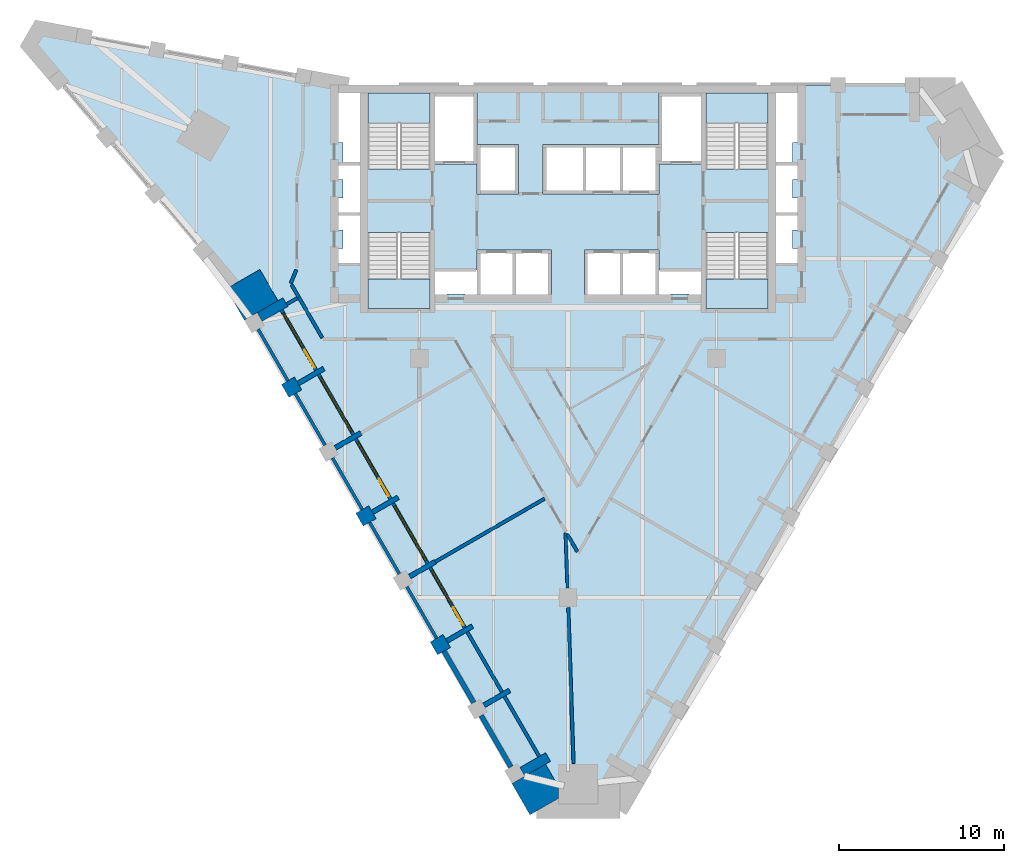
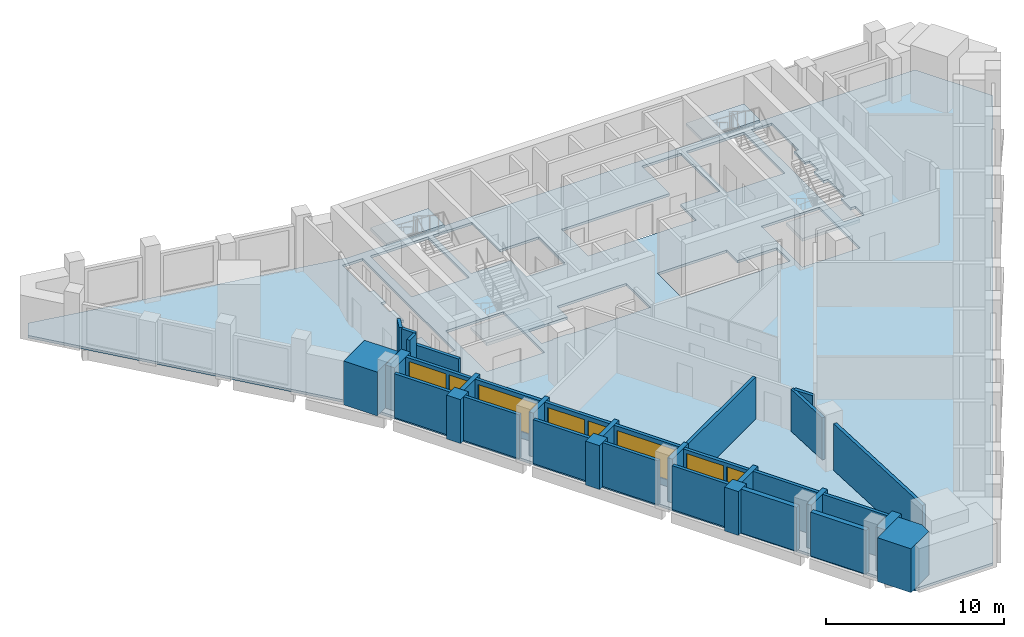
# One storey, part 2 of 9: 35 walls, 5 slabs, 5 windows, 3 doors, 8 openings, 4 elements without a shape of their own.
"""IFC4 building model written with IfcOpenShell, lengths in metres."""

from ifc_helpers import new_model, si_unit, direction, frame, frame_2d, origin, place, context, subcontext, project, spatial, polyline, rectangle, outline, extrude, material, layer, layer_set, type_object, element, fill, aggregate, save


model = new_model("IFC4")

# Units and contexts
model_context = context("Model", 3, precision=1e-05, world=origin(), true_north=direction((0.0, 1.0)))
body_context = subcontext(model_context, "Body", "Model", "MODEL_VIEW")
ifc_project = project(units=[si_unit("LENGTHUNIT", "METRE"), si_unit("AREAUNIT", "SQUARE_METRE"), si_unit("VOLUMEUNIT", "CUBIC_METRE"), si_unit("PLANEANGLEUNIT", "RADIAN"), si_unit("MASSUNIT", "GRAM", prefix="KILO")], contexts=[model_context])

# Site, building, storey
site_placement = place(None, origin())
site = spatial("IfcSite", under=ifc_project, at=site_placement, CompositionType="ELEMENT")
building_placement = place(site_placement, origin())
building = spatial("IfcBuilding", under=site, at=building_placement, Name="Calabash Gate Tower", CompositionType="ELEMENT")
storey_placement = place(building_placement, frame((0.0, 0.0, 223.699951171875)))
storey = spatial("IfcBuildingStorey", under=building, at=storey_placement, Name="L53", CompositionType="ELEMENT", Elevation=223.699951171875)

# Slab
ifc_material_1 = material(Name="Concrete C40/50", Category="concrete")
ifc_layer_1 = layer(ifc_material_1, 0.169921875)
ifc_layer_set_1 = layer_set([ifc_layer_1], Name="Composite floor slab 170 Concrete C40/50")
slab_type_1 = type_object("IfcSlabType", Name="Composite floor slab 170 Concrete C40/50", PredefinedType="FLOOR", material=ifc_layer_set_1)
slab_1_placement = place(storey_placement, frame((0.0, 0.0, -0.169921875)))
element("IfcSlab", 1, at=slab_1_placement, inside=storey, type_object=slab_type_1, Name="Floor slab L53", PredefinedType="FLOOR", context=body_context, shape_type="SweptSolid", body=[
    extrude(outline(polyline([(3.157958984375, -24.915283203125), (-1.906005859375, -24.915283203125), (-20.291015625, 6.92822265625), (-32.620361328125, 21.43115234375), (-32.015625, 22.478515625), (-13.291015625, 19.052490234375), (23.478759765625, 19.052490234375), (26.0107421875, 14.6669921875), (3.157958984375, -24.915283203125)]), holes=[polyline([(-7.324951171875, 6.3525390625), (-7.324951171875, 6.402587890625), (-6.22509765625, 6.402587890625), (-6.22509765625, 6.3525390625), (-5.5, 6.3525390625), (-3.25, 6.3525390625), (-1.0, 6.3525390625), (-1.0, 9.052490234375), (-3.25, 9.052490234375), (-5.5, 9.052490234375), (-5.5, 7.8525390625), (-8.050048828125, 7.8525390625), (-8.050048828125, 6.3525390625), (-7.324951171875, 6.3525390625)]), polyline([(8.050048828125, 6.3525390625), (8.050048828125, 7.8525390625), (5.5, 7.8525390625), (5.5, 9.052490234375), (3.25, 9.052490234375), (1.0, 9.052490234375), (1.0, 6.3525390625), (3.25, 6.3525390625), (5.5, 6.3525390625), (6.22509765625, 6.3525390625), (6.22509765625, 6.402587890625), (7.324951171875, 6.402587890625), (7.324951171875, 6.3525390625), (8.050048828125, 6.3525390625)]), polyline([(-8.050048828125, 18.552490234375), (-8.050048828125, 14.252685546875), (-5.5, 14.252685546875), (-5.5, 12.45263671875), (-3.0, 12.45263671875), (-3.0, 15.45263671875), (-5.5, 15.45263671875), (-5.5, 18.552490234375), (-8.050048828125, 18.552490234375)]), polyline([(5.5, 14.252685546875), (8.050048828125, 14.252685546875), (8.050048828125, 18.552490234375), (5.5, 18.552490234375), (5.5, 15.45263671875), (3.25, 15.45263671875), (1.0, 15.45263671875), (-1.5, 15.45263671875), (-1.5, 12.45263671875), (1.0, 12.45263671875), (3.25, 12.45263671875), (5.5, 12.45263671875), (5.5, 14.252685546875)]), polyline([(-12.10009765625, 13.95263671875), (-8.35009765625, 13.95263671875), (-8.35009765625, 18.552490234375), (-12.10009765625, 18.552490234375), (-12.10009765625, 13.95263671875)]), polyline([(-8.35009765625, 5.502685546875), (-8.35009765625, 10.1025390625), (-12.10009765625, 10.1025390625), (-12.10009765625, 5.502685546875), (-8.35009765625, 5.502685546875)]), polyline([(12.10009765625, 18.552490234375), (8.35009765625, 18.552490234375), (8.35009765625, 13.95263671875), (12.10009765625, 13.95263671875), (12.10009765625, 18.552490234375)]), polyline([(8.35009765625, 10.1025390625), (8.35009765625, 5.502685546875), (12.10009765625, 5.502685546875), (12.10009765625, 10.1025390625), (8.35009765625, 10.1025390625)]), polyline([(-13.89990234375, 8.1826171875), (-12.60009765625, 8.1826171875), (-12.60009765625, 11.232666015625), (-12.60009765625, 14.28271484375), (-12.60009765625, 18.552490234375), (-13.89990234375, 18.552490234375), (-13.89990234375, 15.550048828125), (-13.60009765625, 15.550048828125), (-13.60009765625, 14.28271484375), (-13.89990234375, 14.28271484375), (-13.89990234375, 13.3076171875), (-13.60009765625, 13.3076171875), (-13.60009765625, 12.20751953125), (-13.89990234375, 12.20751953125), (-13.89990234375, 11.232666015625), (-13.89990234375, 10.257568359375), (-13.60009765625, 10.257568359375), (-13.60009765625, 9.15771484375), (-13.89990234375, 9.15771484375), (-13.89990234375, 8.1826171875)]), polyline([(13.60009765625, 9.15771484375), (13.60009765625, 10.257568359375), (13.89990234375, 10.257568359375), (13.89990234375, 11.232666015625), (13.89990234375, 12.20751953125), (13.60009765625, 12.20751953125), (13.60009765625, 13.3076171875), (13.89990234375, 13.3076171875), (13.89990234375, 14.28271484375), (13.60009765625, 14.28271484375), (13.60009765625, 15.550048828125), (13.89990234375, 15.550048828125), (13.89990234375, 18.552490234375), (12.60009765625, 18.552490234375), (12.60009765625, 14.28271484375), (12.60009765625, 11.232666015625), (12.60009765625, 8.1826171875), (13.89990234375, 8.1826171875), (13.89990234375, 9.15771484375), (13.60009765625, 9.15771484375)])]), origin(), (0.0, 0.0, 1.0), 0.169921875),
])

# Stair, slab
ifc_material_2 = material(Name="Concrete C40/50", Category="concrete")
stair_type = type_object("IfcStairType", Name="Exit stair 22 risers of 177.3 mm", PredefinedType="HALF_TURN_STAIR", material=ifc_material_2)
stair_1_placement = place(storey_placement, origin())
stair_1 = element("IfcStair", 2, at=stair_1_placement, inside=storey, type_object=stair_type, Name="L53 Exit stair ST1", PredefinedType="HALF_TURN_STAIR")
ifc_material_3 = material(Name="Concrete C40/50", Category="concrete")
ifc_layer_2 = layer(ifc_material_3, 0.199951171875)
ifc_layer_set_2 = layer_set([ifc_layer_2], Name="Stair landing SL200")
slab_type_2 = type_object("IfcSlabType", Name="Stair landing SL200", PredefinedType="LANDING", material=ifc_layer_set_2)
slab_2_placement = place(storey_placement, frame((0.0, 0.0, 1.75)))
slab_2 = element("IfcSlab", 3, at=slab_2_placement, type_object=slab_type_2, Name="ST1 landing 1", PredefinedType="LANDING", context=body_context, shape_type="SweptSolid", body=[
    extrude(outline(polyline([(-8.35009765625, 16.74267578125), (-8.35009765625, 18.552490234375), (-12.10009765625, 18.552490234375), (-12.10009765625, 16.74267578125), (-8.35009765625, 16.74267578125)])), origin(), (0.0, 0.0, 1.0), 0.199951171875),
])
aggregate(stair_1, [slab_2])

stair_2_placement = place(storey_placement, origin())
stair_2 = element("IfcStair", 4, at=stair_2_placement, inside=storey, type_object=stair_type, Name="L53 Exit stair ST2", PredefinedType="HALF_TURN_STAIR")
slab_3_placement = place(storey_placement, frame((0.0, 0.0, 1.75)))
slab_3 = element("IfcSlab", 5, at=slab_3_placement, type_object=slab_type_2, Name="ST2 landing 1", PredefinedType="LANDING", context=body_context, shape_type="SweptSolid", body=[
    extrude(outline(polyline([(-12.10009765625, 7.3125), (-12.10009765625, 5.502685546875), (-8.35009765625, 5.502685546875), (-8.35009765625, 7.3125), (-12.10009765625, 7.3125)])), origin(), (0.0, 0.0, 1.0), 0.199951171875),
])
aggregate(stair_2, [slab_3])

stair_3_placement = place(storey_placement, origin())
stair_3 = element("IfcStair", 6, at=stair_3_placement, inside=storey, type_object=stair_type, Name="L53 Exit stair ST3", PredefinedType="HALF_TURN_STAIR")
slab_4_placement = place(storey_placement, frame((0.0, 0.0, 1.75)))
slab_4 = element("IfcSlab", 7, at=slab_4_placement, type_object=slab_type_2, Name="ST3 landing 1", PredefinedType="LANDING", context=body_context, shape_type="SweptSolid", body=[
    extrude(outline(polyline([(12.10009765625, 16.74267578125), (12.10009765625, 18.552490234375), (8.35009765625, 18.552490234375), (8.35009765625, 16.74267578125), (12.10009765625, 16.74267578125)])), origin(), (0.0, 0.0, 1.0), 0.199951171875),
])
aggregate(stair_3, [slab_4])

stair_4_placement = place(storey_placement, origin())
stair_4 = element("IfcStair", 8, at=stair_4_placement, inside=storey, type_object=stair_type, Name="L53 Exit stair ST4", PredefinedType="HALF_TURN_STAIR")
slab_5_placement = place(storey_placement, frame((0.0, 0.0, 1.75)))
slab_5 = element("IfcSlab", 9, at=slab_5_placement, type_object=slab_type_2, Name="ST4 landing 1", PredefinedType="LANDING", context=body_context, shape_type="SweptSolid", body=[
    extrude(outline(polyline([(8.35009765625, 7.3125), (8.35009765625, 5.502685546875), (12.10009765625, 5.502685546875), (12.10009765625, 7.3125), (8.35009765625, 7.3125)])), origin(), (0.0, 0.0, 1.0), 0.199951171875),
])
aggregate(stair_4, [slab_5])

# Walls
ifc_material_4 = material(Name="Terracotta brick masonry, exposed face", Category="masonry")
ifc_layer_3 = layer(ifc_material_4, 2.35009765625)
ifc_layer_set_3 = layer_set([ifc_layer_3], Name="Brick corner mass wall 2350")
wall_type_1 = type_object("IfcWallType", Name="Brick corner mass wall 2350", PredefinedType="SOLIDWALL", material=ifc_layer_set_3)
wall_1_placement = place(storey_placement, origin())
element("IfcWall", 10, at=wall_1_placement, inside=storey, type_object=wall_type_1, Name="Brick corner pier S15 1", PredefinedType="SOLIDWALL", context=body_context, shape_type="SweptSolid", body=[
    extrude(outline(polyline([(-19.588134765625, 4.81103515625), (-17.552978515625, 5.986083984375), (-18.6455078125, 7.878173828125), (-20.6806640625, 6.703125), (-19.588134765625, 4.81103515625)])), origin(), (0.0, 0.0, 1.0), 3.0),
])
wall_2_placement = place(storey_placement, origin())
element("IfcWall", 11, at=wall_2_placement, inside=storey, type_object=wall_type_1, Name="Brick corner pier S15 2a", PredefinedType="SOLIDWALL", context=body_context, shape_type="SweptSolid", body=[
    extrude(outline(polyline([(-0.573974609375, -23.422607421875), (-1.35302734375, -22.0732421875), (-3.38818359375, -23.248046875), (-2.2958984375, -25.14013671875), (-0.573974609375, -24.146240234375), (-0.573974609375, -23.422607421875)])), origin(), (0.0, 0.0, 1.0), 3.0),
])
ifc_material_5 = material(Name="Terracotta brick masonry, exposed face", Category="masonry")
ifc_layer_4 = layer(ifc_material_5, 0.89990234375)
ifc_layer_set_4 = layer_set([ifc_layer_4], Name="Brick end wall 900")
wall_type_2 = type_object("IfcWallType", Name="Brick end wall 900", PredefinedType="SOLIDWALL", material=ifc_layer_set_4)
for number, where, z_axis, x_axis, name in (
    (12, (-16.333740234375, 0.974365234375, 0.0), (0.0, 0.0, 1.0), (-0.865964261186, -0.500105887137, 0.0), "Brick pier S15 SW0.1"),
    (13, (-11.833740234375, -6.820068359375, 0.0), (0.0, 0.0, 1.0), (-0.866081705922, -0.499902469156, 0.0), "Brick pier S15 SW0.3"),
    (14, (-8.11328125, -15.064208984375, 0.0), (0.0, 0.0, 1.0), (0.866081705922, 0.499902469156, 0.0), "Brick pier S15 SW0.5"),
):
    element("IfcWall", number, at=place(storey_placement, frame(where, z_axis=z_axis, x_axis=x_axis)), inside=storey, type_object=wall_type_2, Name=name, PredefinedType="SOLIDWALL", context=body_context, shape_type="SweptSolid", body=[
        extrude(rectangle(XDim=0.900146484375, YDim=0.89990234375, at=frame_2d((0.4501953125, 0.0))), origin(), (0.0, 0.0, 1.0), 3.0),
    ])
ifc_material_6 = material(Name="Terracotta brick masonry, exposed face", Category="masonry")
ifc_layer_5 = layer(ifc_material_6, 0.300048828125)
ifc_layer_set_5 = layer_set([ifc_layer_5], Name="Brick infill panel wall 300")
wall_type_3 = type_object("IfcWallType", Name="Brick infill panel wall 300", PredefinedType="SOLIDWALL", material=ifc_layer_set_5)
for number, where, z_axis, x_axis, name in (
    (15, (-5.69873046875, -18.34619140625, 0.0), (0.0, 0.0, 1.0), (-0.50001992892, 0.866013897511, 0.0), "Brick panel S15 SW0.6"),
    (16, (-3.44873046875, -22.2431640625, 0.0), (0.0, 0.0, 1.0), (-0.50001992892, 0.866013897511, 0.0), "Brick panel S15 SW0.7"),
):
    element("IfcWall", number, at=place(storey_placement, frame(where, z_axis=z_axis, x_axis=x_axis)), inside=storey, type_object=wall_type_3, Name=name, PredefinedType="SOLIDWALL", context=body_context, shape_type="SweptSolid", body=[
        extrude(rectangle(XDim=3.599365234375, YDim=0.300048828125, at=frame_2d((1.7998046875, 0.0))), origin(), (0.0, 0.0, 1.0), 3.0),
    ])
ifc_material_7 = material(Name="Terracotta brick masonry, exposed face", Category="masonry")
ifc_layer_6 = layer(ifc_material_7, 0.300048828125)
ifc_layer_set_6 = layer_set([ifc_layer_6], Name="Brick loggia cheek wall 300")
wall_type_4 = type_object("IfcWallType", Name="Brick loggia cheek wall 300", PredefinedType="SOLIDWALL", material=ifc_layer_set_6)
wall_3_placement = place(storey_placement, frame((-18.65869140625, 5.001220703125, 0.0), z_axis=(0.0, 0.0, 1.0), x_axis=(0.865989075817, 0.500062916607, 0.0)))
element("IfcWall", 17, at=wall_3_placement, inside=storey, type_object=wall_type_4, Name="Loggia cheek S15 SW0.0", PredefinedType="SOLIDWALL", context=body_context, shape_type="SweptSolid", body=[
    extrude(rectangle(XDim=1.800048828125, YDim=0.60009765625, at=frame_2d((0.89990234375, 0.0))), origin(), (0.0, 0.0, 1.0), 2.9501953125),
])
for number, where, z_axis, x_axis, name in (
    (18, (-16.333740234375, 0.974365234375, 0.0), (0.0, 0.0, 1.0), (0.866047807691, 0.499961193289, 0.0), "Loggia cheek S15 SW0.1"),
    (19, (-14.083740234375, -2.9228515625, 0.0), (0.0, 0.0, 1.0), (0.866047807691, 0.499961193289, 0.0), "Loggia cheek S15 SW0.2"),
    (20, (-11.833740234375, -6.820068359375, 0.0), (0.0, 0.0, 1.0), (0.865989075817, 0.500062916607, 0.0), "Loggia cheek S15 SW0.3"),
    (21, (-9.583740234375, -10.717041015625, 0.0), (0.0, 0.0, 1.0), (0.866047807691, 0.499961193289, 0.0), "Loggia cheek S15 SW0.4"),
    (22, (-7.333740234375, -14.6142578125, 0.0), (0.0, 0.0, 1.0), (0.865989075817, 0.500062916607, 0.0), "Loggia cheek S15 SW0.5"),
    (23, (-5.083740234375, -18.51123046875, 0.0), (0.0, 0.0, 1.0), (0.866047807691, 0.499961193289, 0.0), "Loggia cheek S15 SW0.6"),
):
    element("IfcWall", number, at=place(storey_placement, frame(where, z_axis=z_axis, x_axis=x_axis)), inside=storey, type_object=wall_type_4, Name=name, PredefinedType="SOLIDWALL", context=body_context, shape_type="SweptSolid", body=[
        extrude(rectangle(XDim=1.800048828125, YDim=0.300048828125, at=frame_2d((0.89990234375, 0.0))), origin(), (0.0, 0.0, 1.0), 3.0),
    ])
wall_4_placement = place(storey_placement, frame((-2.7587890625, -22.538330078125, 0.0), z_axis=(0.0, 0.0, 1.0), x_axis=(0.866047807691, 0.499961193289, 0.0)))
element("IfcWall", 24, at=wall_4_placement, inside=storey, type_object=wall_type_4, Name="Loggia cheek S15 SW0.7", PredefinedType="SOLIDWALL", context=body_context, shape_type="SweptSolid", body=[
    extrude(rectangle(XDim=1.800048828125, YDim=0.60009765625, at=frame_2d((0.89990234375, 0.0))), origin(), (0.0, 0.0, 1.0), 3.0),
])
ifc_material_8 = material(Name="Gypsum board on steel studs, mineral wool", Category="steel")
ifc_layer_7 = layer(ifc_material_8, 0.199951171875)
ifc_layer_set_7 = layer_set([ifc_layer_7], Name="Partition 200 gypsum board EI 60")
wall_type_5 = type_object("IfcWallType", Name="Partition 200 gypsum board EI 60", PredefinedType="PARTITIONING", material=ifc_layer_set_7)
wall_5_placement = place(storey_placement, frame((0.020263671875, -12.60009765625, 0.0), z_axis=(0.0, 0.0, 1.0), x_axis=(0.033928355038, -0.999424267628, 0.0)))
element("IfcWall", 25, at=wall_5_placement, inside=storey, type_object=wall_type_5, Name="Partition", PredefinedType="PARTITIONING", context=body_context, shape_type="SweptSolid", body=[
    extrude(rectangle(XDim=9.43359375, YDim=0.199951171875, at=frame_2d((4.716796875, 0.0))), origin(), (0.0, 0.0, 1.0), 3.201904296875),
])
wall_6_placement = place(storey_placement, frame((-0.134033203125, -8.07958984375, 0.0), z_axis=(0.0, 0.0, 1.0), x_axis=(0.034171208609, -0.999415993719, 0.0)))
element("IfcWall", 26, at=wall_6_placement, inside=storey, type_object=wall_type_5, Name="Partition", PredefinedType="PARTITIONING", context=body_context, shape_type="SweptSolid", body=[
    extrude(rectangle(XDim=3.322265625, YDim=0.199951171875, at=frame_2d((1.6611328125, 0.0))), origin(), (0.0, 0.0, 1.0), 2.884033203125),
])
wall_7_placement = place(storey_placement, frame((-0.031005859375, -8.163818359375, 0.0), z_axis=(0.0, 0.0, 1.0), x_axis=(0.500314465278, -0.865843771031, 0.0)))
element("IfcWall", 27, at=wall_7_placement, inside=storey, type_object=wall_type_5, Name="Partition", PredefinedType="PARTITIONING", context=body_context, shape_type="SweptSolid", body=[
    extrude(rectangle(XDim=1.213623046875, YDim=0.199951171875, at=frame_2d((0.60693359375, 0.0))), origin(), (0.0, 0.0, 1.0), 2.884033203125),
])
wall_8_placement = place(storey_placement, frame((-8.024658203125, -9.8173828125, 0.0), z_axis=(0.0, 0.0, 1.0), x_axis=(0.866115970796, 0.499843100514, 0.0)))
element("IfcWall", 28, at=wall_8_placement, inside=storey, type_object=wall_type_5, Name="Partition", PredefinedType="PARTITIONING", context=body_context, shape_type="SweptSolid", body=[
    extrude(rectangle(XDim=7.6494140625, YDim=0.199951171875, at=frame_2d((3.82470703125, 0.0))), origin(), (0.0, 0.0, 1.0), 2.884033203125),
])
wall_9_placement = place(storey_placement, frame((-16.29052734375, 6.1953125, 0.0), z_axis=(0.0, 0.0, 1.0), x_axis=(0.500432411893, -0.865775606683, 0.0)))
element("IfcWall", 29, at=wall_9_placement, inside=storey, type_object=wall_type_5, Name="Partition", PredefinedType="PARTITIONING", context=body_context, shape_type="SweptSolid", body=[
    extrude(rectangle(XDim=2.83740234375, YDim=0.199951171875, at=frame_2d((1.418701171875, 0.0))), origin(), (0.0, 0.0, 1.0), 2.9501953125),
])
wall_10_placement = place(storey_placement, frame((-17.02490234375, 5.771240234375, 0.0), z_axis=(0.0, 0.0, 1.0), x_axis=(0.86713847007, 0.498067137768, 0.0)))
element("IfcWall", 30, at=wall_10_placement, inside=storey, type_object=wall_type_5, Name="Partition", PredefinedType="PARTITIONING", context=body_context, shape_type="SweptSolid", body=[
    extrude(rectangle(XDim=0.74951171875, YDim=0.199951171875, at=frame_2d((0.374755859375, 0.0))), origin(), (0.0, 0.0, 1.0), 3.72998046875),
])
wall_11_placement = place(storey_placement, frame((-16.7265625, 6.953125, 0.0), z_axis=(0.0, 0.0, 1.0), x_axis=(0.498722930898, -0.86676146557, 0.0)))
element("IfcWall", 31, at=wall_11_placement, inside=storey, type_object=wall_type_5, Name="Partition", PredefinedType="PARTITIONING", context=body_context, shape_type="SweptSolid", body=[
    extrude(rectangle(XDim=0.874267578125, YDim=0.199951171875, at=frame_2d((0.43701171875, 0.0))), origin(), (0.0, 0.0, 1.0), 3.72998046875),
])
wall_12_placement = place(storey_placement, frame((-16.7763671875, 7.039794921875, 0.0), z_axis=(0.0, 0.0, 1.0), x_axis=(0.380625221286, 0.924729387941, 0.0)))
element("IfcWall", 32, at=wall_12_placement, inside=storey, type_object=wall_type_5, Name="Partition", PredefinedType="PARTITIONING", context=body_context, shape_type="SweptSolid", body=[
    extrude(rectangle(XDim=0.886962890625, YDim=0.199951171875, at=frame_2d((0.443359375, 0.0))), origin(), (0.0, 0.0, 1.0), 3.72998046875),
])
ifc_material_9 = material(Name="Terracotta brick masonry, perforated", Category="masonry")
ifc_layer_8 = layer(ifc_material_9, 0.199951171875)
ifc_layer_set_8 = layer_set([ifc_layer_8], Name="Terracotta jaali screen A")
wall_type_6 = type_object("IfcWallType", Name="Terracotta jaali screen A", PredefinedType="SOLIDWALL", material=ifc_layer_set_8)
for number, where, z_axis, x_axis, name in (
    (33, (-18.74853515625, 4.256591796875, 0.0), (0.0, 0.0, 1.0), (0.500012057535, -0.866018442252, 0.0), "SCREEN A S15 SW0.1"),
    (34, (-16.49853515625, 0.359619140625, 0.0), (0.0, 0.0, 1.0), (0.500012057535, -0.866018442252, 0.0), "SCREEN A S15 SW0.2"),
    (35, (-14.24853515625, -3.53759765625, 0.0), (0.0, 0.0, 1.0), (0.500012057535, -0.866018442252, 0.0), "SCREEN A S15 SW0.3"),
):
    element("IfcWall", number, at=place(storey_placement, frame(where, z_axis=z_axis, x_axis=x_axis)), inside=storey, type_object=wall_type_6, Name=name, PredefinedType="SOLIDWALL", context=body_context, shape_type="SweptSolid", body=[
        extrude(rectangle(XDim=3.60009765625, YDim=0.199951171875, at=frame_2d((1.800048828125, 0.0))), origin(), (0.0, 0.0, 1.0), 3.0),
    ])
wall_13_placement = place(storey_placement, frame((-11.99853515625, -7.4345703125, 0.0), z_axis=(0.0, 0.0, 1.0), x_axis=(0.499982693035, -0.866035395735, 0.0)))
element("IfcWall", 36, at=wall_13_placement, inside=storey, type_object=wall_type_6, Name="SCREEN A S15 SW0.4", PredefinedType="SOLIDWALL", context=body_context, shape_type="SweptSolid", body=[
    extrude(rectangle(XDim=3.600341796875, YDim=0.199951171875, at=frame_2d((1.80029296875, 0.0))), origin(), (0.0, 0.0, 1.0), 3.0),
])
wall_14_placement = place(storey_placement, frame((-9.74853515625, -11.331787109375, 0.0), z_axis=(0.0, 0.0, 1.0), x_axis=(0.500012057535, -0.866018442252, 0.0)))
element("IfcWall", 37, at=wall_14_placement, inside=storey, type_object=wall_type_6, Name="SCREEN A S15 SW0.5", PredefinedType="SOLIDWALL", context=body_context, shape_type="SweptSolid", body=[
    extrude(rectangle(XDim=3.60009765625, YDim=0.199951171875, at=frame_2d((1.800048828125, 0.0))), origin(), (0.0, 0.0, 1.0), 3.0),
])

# Wall, openings, door, window
ifc_material_10 = material(Name="Aluminium framed window wall with insulated spandrel", Category="aluminium")
ifc_layer_9 = layer(ifc_material_10, 0.199951171875)
ifc_layer_set_9 = layer_set([ifc_layer_9], Name="Window wall 200")
wall_type_7 = type_object("IfcWallType", Name="Window wall 200", PredefinedType="ELEMENTEDWALL", material=ifc_layer_set_9)
wall_15_placement = place(storey_placement, frame((-17.339599609375, 5.41650390625, 0.0), z_axis=(0.0, 0.0, 1.0), x_axis=(0.499958946799, -0.866049104564, 0.0)))
wall_15 = element("IfcWall", 38, at=wall_15_placement, inside=storey, type_object=wall_type_7, Name="Window wall S15 SW0.1", PredefinedType="ELEMENTEDWALL", context=body_context, shape_type="SweptSolid", body=[
    extrude(rectangle(XDim=4.199951171875, YDim=0.199951171875, at=frame_2d((2.10009765625, 0.0))), origin(), (0.0, 0.0, 1.0), 2.9501953125),
])
opening_1_placement = place(wall_15_placement, frame((0.199951171875, 0.0, 0.449951171875)))
opening_1 = element("IfcOpeningElement", 39, at=opening_1_placement, cuts=wall_15, Name="Opening OW1", PredefinedType="OPENING", context=body_context, shape_type="SweptSolid", body=[
    extrude(rectangle(XDim=2.39990234375, YDim=2.25, at=frame_2d((1.199951171875, 1.125))), frame((0.0, 0.10986328125, 0.0), z_axis=(0.0, -1.0, 0.0), x_axis=(1.0, 0.0, 0.0)), (0.0, 0.0, 1.0), 0.219970703125),
])
opening_2_placement = place(wall_15_placement, frame((2.800048828125, 0.0, 0.0)))
opening_2 = element("IfcOpeningElement", 40, at=opening_2_placement, cuts=wall_15, Name="Opening O7-025", PredefinedType="OPENING", context=body_context, shape_type="SweptSolid", body=[
    extrude(rectangle(XDim=1.199951171875, YDim=2.699951171875, at=frame_2d((0.60009765625, 1.35009765625))), frame((0.0, 0.10986328125, 0.0), z_axis=(0.0, -1.0, 0.0), x_axis=(1.0, 0.0, 0.0)), (0.0, 0.0, 1.0), 0.219970703125),
])
ifc_material_11 = material(Name="Anodised aluminium frame, bronze finish, impact-rated laminated clear glazing", Category="aluminium")
door_type = type_object("IfcDoorType", Name="Loggia door DO1 1200x2700", OperationType="SLIDING_TO_LEFT", PredefinedType="DOOR", material=ifc_material_11)
door_1_placement = place(opening_2_placement, origin())
door_1 = element("IfcDoor", 41, at=door_1_placement, inside=storey, type_object=door_type, Name="Loggia door S15 SW0.1", OperationType="SINGLE_SWING_LEFT", OverallHeight=2.699951171875, OverallWidth=1.199951171875, PredefinedType="DOOR", context=body_context, shape_type="SweptSolid", body=[
    extrude(rectangle(XDim=1.199951171875, YDim=2.699951171875, at=frame_2d((0.60009765625, 1.35009765625))), frame((0.0, 0.02490234375, 0.0), z_axis=(0.0, -1.0, 0.0), x_axis=(1.0, 0.0, 0.0)), (0.0, 0.0, 1.0), 0.050048828125),
])
fill(opening_2, door_1)
ifc_material_12 = material(Name="Anodised aluminium frame, bronze finish, impact-rated laminated clear glazing", Category="aluminium")
window_type_1 = type_object("IfcWindowType", Name="Window OW1 2400x2250", PartitioningType="DOUBLE_PANEL_VERTICAL", PredefinedType="WINDOW", material=ifc_material_12)
window_1_placement = place(opening_1_placement, origin())
window_1 = element("IfcWindow", 42, at=window_1_placement, inside=storey, type_object=window_type_1, Name="Window OW1 S15 SW0.1", OverallHeight=2.25, OverallWidth=2.39990234375, PartitioningType="SINGLE_PANEL", PredefinedType="WINDOW", context=body_context, shape_type="SweptSolid", body=[
    extrude(rectangle(XDim=2.39990234375, YDim=2.25, at=frame_2d((1.199951171875, 1.125))), frame((0.0, 0.030029296875, 0.0), z_axis=(0.0, -1.0, 0.0), x_axis=(1.0, 0.0, 0.0)), (0.0, 0.0, 1.0), 0.06005859375),
])
fill(opening_1, window_1)

# Wall, opening, window
wall_16_placement = place(storey_placement, frame((-15.089599609375, 1.519287109375, 0.0), z_axis=(0.0, 0.0, 1.0), x_axis=(0.49998411664, -0.866034573852, 0.0)))
wall_16 = element("IfcWall", 43, at=wall_16_placement, inside=storey, type_object=wall_type_7, Name="Window wall S15 SW0.2", PredefinedType="ELEMENTEDWALL", context=body_context, shape_type="SweptSolid", body=[
    extrude(rectangle(XDim=4.199951171875, YDim=0.199951171875, at=frame_2d((2.10009765625, 0.0))), origin(), (0.0, 0.0, 1.0), 3.0),
])
opening_3_placement = place(wall_16_placement, frame((0.199951171875, 0.0, 0.449951171875)))
opening_3 = element("IfcOpeningElement", 44, at=opening_3_placement, cuts=wall_16, Name="Opening OW2", PredefinedType="OPENING", context=body_context, shape_type="SweptSolid", body=[
    extrude(rectangle(XDim=3.800048828125, YDim=2.25, at=frame_2d((1.89990234375, 1.125))), frame((0.0, 0.10986328125, 0.0), z_axis=(0.0, -1.0, 0.0), x_axis=(1.0, 0.0, 0.0)), (0.0, 0.0, 1.0), 0.219970703125),
])
ifc_material_13 = material(Name="Anodised aluminium frame, bronze finish, impact-rated laminated clear glazing", Category="aluminium")
window_type_2 = type_object("IfcWindowType", Name="Window OW2 3800x2250", PartitioningType="TRIPLE_PANEL_VERTICAL", PredefinedType="WINDOW", material=ifc_material_13)
window_2_placement = place(opening_3_placement, origin())
window_2 = element("IfcWindow", 45, at=window_2_placement, inside=storey, type_object=window_type_2, Name="Window OW2 S15 SW0.2", OverallHeight=2.25, OverallWidth=3.800048828125, PartitioningType="SINGLE_PANEL", PredefinedType="WINDOW", context=body_context, shape_type="SweptSolid", body=[
    extrude(rectangle(XDim=3.800048828125, YDim=2.25, at=frame_2d((1.89990234375, 1.125))), frame((0.0, 0.030029296875, 0.0), z_axis=(0.0, -1.0, 0.0), x_axis=(1.0, 0.0, 0.0)), (0.0, 0.0, 1.0), 0.06005859375),
])
fill(opening_3, window_2)

# Wall, openings, door, window
wall_17_placement = place(storey_placement, frame((-12.839599609375, -2.377685546875, 0.0), z_axis=(0.0, 0.0, 1.0), x_axis=(0.499958946799, -0.866049104564, 0.0)))
wall_17 = element("IfcWall", 46, at=wall_17_placement, inside=storey, type_object=wall_type_7, Name="Window wall S15 SW0.3", PredefinedType="ELEMENTEDWALL", context=body_context, shape_type="SweptSolid", body=[
    extrude(rectangle(XDim=4.199951171875, YDim=0.199951171875, at=frame_2d((2.10009765625, 0.0))), origin(), (0.0, 0.0, 1.0), 3.0),
])
opening_4_placement = place(wall_17_placement, frame((0.199951171875, 0.0, 0.449951171875)))
opening_4 = element("IfcOpeningElement", 47, at=opening_4_placement, cuts=wall_17, Name="Opening OW1", PredefinedType="OPENING", context=body_context, shape_type="SweptSolid", body=[
    extrude(rectangle(XDim=2.39990234375, YDim=2.25, at=frame_2d((1.199951171875, 1.125))), frame((0.0, 0.10986328125, 0.0), z_axis=(0.0, -1.0, 0.0), x_axis=(1.0, 0.0, 0.0)), (0.0, 0.0, 1.0), 0.219970703125),
])
opening_5_placement = place(wall_17_placement, frame((2.800048828125, 0.0, 0.0)))
opening_5 = element("IfcOpeningElement", 48, at=opening_5_placement, cuts=wall_17, Name="Opening O7-026", PredefinedType="OPENING", context=body_context, shape_type="SweptSolid", body=[
    extrude(rectangle(XDim=1.199951171875, YDim=2.699951171875, at=frame_2d((0.60009765625, 1.35009765625))), frame((0.0, 0.10986328125, 0.0), z_axis=(0.0, -1.0, 0.0), x_axis=(1.0, 0.0, 0.0)), (0.0, 0.0, 1.0), 0.219970703125),
])
door_2_placement = place(opening_5_placement, origin())
door_2 = element("IfcDoor", 49, at=door_2_placement, inside=storey, type_object=door_type, Name="Loggia door S15 SW0.3", OperationType="SINGLE_SWING_LEFT", OverallHeight=2.699951171875, OverallWidth=1.199951171875, PredefinedType="DOOR", context=body_context, shape_type="SweptSolid", body=[
    extrude(rectangle(XDim=1.199951171875, YDim=2.699951171875, at=frame_2d((0.60009765625, 1.35009765625))), frame((0.0, 0.02490234375, 0.0), z_axis=(0.0, -1.0, 0.0), x_axis=(1.0, 0.0, 0.0)), (0.0, 0.0, 1.0), 0.050048828125),
])
fill(opening_5, door_2)
window_3_placement = place(opening_4_placement, origin())
window_3 = element("IfcWindow", 50, at=window_3_placement, inside=storey, type_object=window_type_1, Name="Window OW1 S15 SW0.3", OverallHeight=2.25, OverallWidth=2.39990234375, PartitioningType="SINGLE_PANEL", PredefinedType="WINDOW", context=body_context, shape_type="SweptSolid", body=[
    extrude(rectangle(XDim=2.39990234375, YDim=2.25, at=frame_2d((1.199951171875, 1.125))), frame((0.0, 0.030029296875, 0.0), z_axis=(0.0, -1.0, 0.0), x_axis=(1.0, 0.0, 0.0)), (0.0, 0.0, 1.0), 0.06005859375),
])
fill(opening_4, window_3)

# Wall, opening, window
wall_18_placement = place(storey_placement, frame((-10.589599609375, -6.27490234375, 0.0), z_axis=(0.0, 0.0, 1.0), x_axis=(0.49998411664, -0.866034573852, 0.0)))
wall_18 = element("IfcWall", 51, at=wall_18_placement, inside=storey, type_object=wall_type_7, Name="Window wall S15 SW0.4", PredefinedType="ELEMENTEDWALL", context=body_context, shape_type="SweptSolid", body=[
    extrude(rectangle(XDim=4.199951171875, YDim=0.199951171875, at=frame_2d((2.10009765625, 0.0))), origin(), (0.0, 0.0, 1.0), 3.0),
])
opening_6_placement = place(wall_18_placement, frame((0.199951171875, 0.0, 0.449951171875)))
opening_6 = element("IfcOpeningElement", 52, at=opening_6_placement, cuts=wall_18, Name="Opening OW2", PredefinedType="OPENING", context=body_context, shape_type="SweptSolid", body=[
    extrude(rectangle(XDim=3.800048828125, YDim=2.25, at=frame_2d((1.89990234375, 1.125))), frame((0.0, 0.10986328125, 0.0), z_axis=(0.0, -1.0, 0.0), x_axis=(1.0, 0.0, 0.0)), (0.0, 0.0, 1.0), 0.219970703125),
])
window_4_placement = place(opening_6_placement, origin())
window_4 = element("IfcWindow", 53, at=window_4_placement, inside=storey, type_object=window_type_2, Name="Window OW2 S15 SW0.4", OverallHeight=2.25, OverallWidth=3.800048828125, PartitioningType="SINGLE_PANEL", PredefinedType="WINDOW", context=body_context, shape_type="SweptSolid", body=[
    extrude(rectangle(XDim=3.800048828125, YDim=2.25, at=frame_2d((1.89990234375, 1.125))), frame((0.0, 0.030029296875, 0.0), z_axis=(0.0, -1.0, 0.0), x_axis=(1.0, 0.0, 0.0)), (0.0, 0.0, 1.0), 0.06005859375),
])
fill(opening_6, window_4)

# Wall, openings, door, window
wall_19_placement = place(storey_placement, frame((-8.339599609375, -10.171875, 0.0), z_axis=(0.0, 0.0, 1.0), x_axis=(0.499958946799, -0.866049104564, 0.0)))
wall_19 = element("IfcWall", 54, at=wall_19_placement, inside=storey, type_object=wall_type_7, Name="Window wall S15 SW0.5", PredefinedType="ELEMENTEDWALL", context=body_context, shape_type="SweptSolid", body=[
    extrude(rectangle(XDim=4.199951171875, YDim=0.199951171875, at=frame_2d((2.10009765625, 0.0))), origin(), (0.0, 0.0, 1.0), 2.9501953125),
])
opening_7_placement = place(wall_19_placement, frame((0.199951171875, 0.0, 0.449951171875)))
opening_7 = element("IfcOpeningElement", 55, at=opening_7_placement, cuts=wall_19, Name="Opening OW1", PredefinedType="OPENING", context=body_context, shape_type="SweptSolid", body=[
    extrude(rectangle(XDim=2.39990234375, YDim=2.25, at=frame_2d((1.199951171875, 1.125))), frame((0.0, 0.10986328125, 0.0), z_axis=(0.0, -1.0, 0.0), x_axis=(1.0, 0.0, 0.0)), (0.0, 0.0, 1.0), 0.219970703125),
])
opening_8_placement = place(wall_19_placement, frame((2.800048828125, 0.0, 0.0)))
opening_8 = element("IfcOpeningElement", 56, at=opening_8_placement, cuts=wall_19, Name="Opening O7-027", PredefinedType="OPENING", context=body_context, shape_type="SweptSolid", body=[
    extrude(rectangle(XDim=1.199951171875, YDim=2.699951171875, at=frame_2d((0.60009765625, 1.35009765625))), frame((0.0, 0.10986328125, 0.0), z_axis=(0.0, -1.0, 0.0), x_axis=(1.0, 0.0, 0.0)), (0.0, 0.0, 1.0), 0.219970703125),
])
door_3_placement = place(opening_8_placement, origin())
door_3 = element("IfcDoor", 57, at=door_3_placement, inside=storey, type_object=door_type, Name="Loggia door S15 SW0.5", OperationType="SINGLE_SWING_LEFT", OverallHeight=2.699951171875, OverallWidth=1.199951171875, PredefinedType="DOOR", context=body_context, shape_type="SweptSolid", body=[
    extrude(rectangle(XDim=1.199951171875, YDim=2.699951171875, at=frame_2d((0.60009765625, 1.35009765625))), frame((0.0, 0.02490234375, 0.0), z_axis=(0.0, -1.0, 0.0), x_axis=(1.0, 0.0, 0.0)), (0.0, 0.0, 1.0), 0.050048828125),
])
fill(opening_8, door_3)
window_5_placement = place(opening_7_placement, origin())
window_5 = element("IfcWindow", 58, at=window_5_placement, inside=storey, type_object=window_type_1, Name="Window OW1 S15 SW0.5", OverallHeight=2.25, OverallWidth=2.39990234375, PartitioningType="SINGLE_PANEL", PredefinedType="WINDOW", context=body_context, shape_type="SweptSolid", body=[
    extrude(rectangle(XDim=2.39990234375, YDim=2.25, at=frame_2d((1.199951171875, 1.125))), frame((0.0, 0.030029296875, 0.0), z_axis=(0.0, -1.0, 0.0), x_axis=(1.0, 0.0, 0.0)), (0.0, 0.0, 1.0), 0.06005859375),
])
fill(opening_7, window_5)

# Walls
for number, where, z_axis, x_axis, name in (
    (59, (-6.089599609375, -14.069091796875, 0.0), (0.0, 0.0, 1.0), (0.49998411664, -0.866034573852, 0.0), "Window wall S15 SW0.6"),
    (60, (-3.839599609375, -17.96630859375, 0.0), (0.0, 0.0, 1.0), (0.49998411664, -0.866034573852, 0.0), "Window wall S15 SW0.7"),
):
    element("IfcWall", number, at=place(storey_placement, frame(where, z_axis=z_axis, x_axis=x_axis)), inside=storey, type_object=wall_type_7, Name=name, PredefinedType="ELEMENTEDWALL", context=body_context, shape_type="SweptSolid", body=[
        extrude(rectangle(XDim=4.199951171875, YDim=0.199951171875, at=frame_2d((2.10009765625, 0.0))), origin(), (0.0, 0.0, 1.0), 3.0),
    ])

save(model, "model.ifc")
